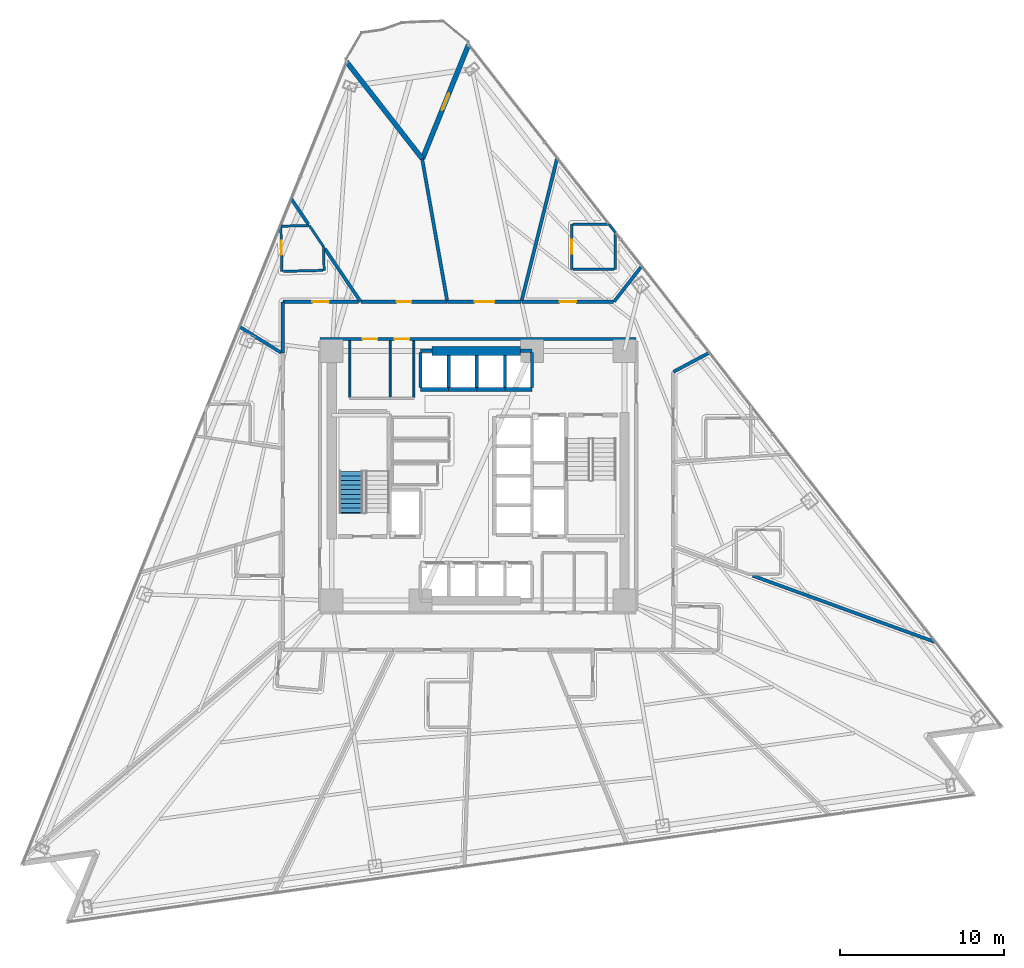
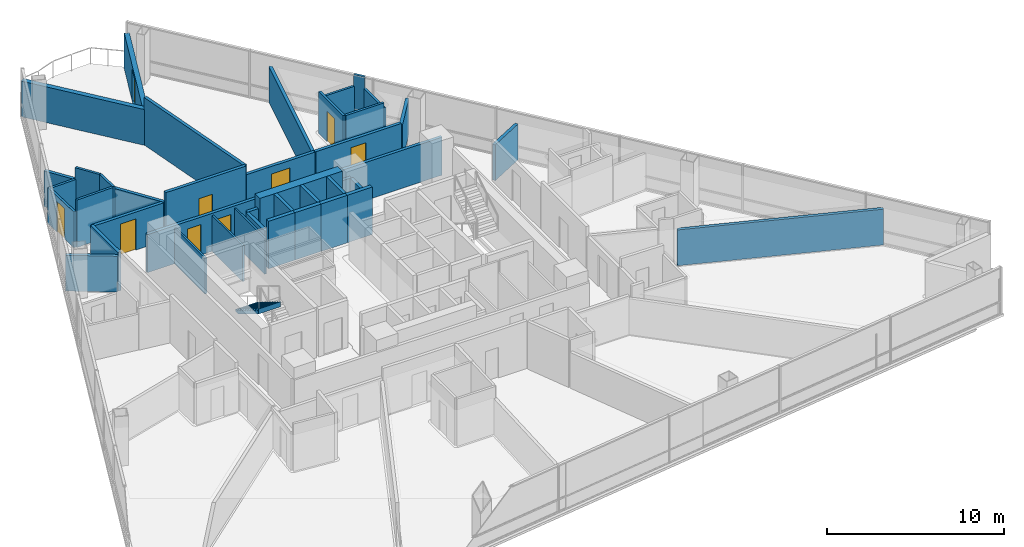
# One storey, part 10 of 16: 41 walls, 9 doors, 1 stair flight, 9 openings, 1 element without a shape of its own.
"""IFC4 building model written with IfcOpenShell, lengths in metres."""

import ifcopenshell
import ifcopenshell.guid

model = None  # the IFC model being written
_history = None  # IfcOwnerHistory: only IFC2X3 demands one
_inside = {}  # id of a spatial element -> (the spatial element, [elements in it])
_under = {}  # id of a project, library or spatial element -> (it, [spatial elements below it])
_declared = {}  # id of a project -> (the project, [libraries it declares])
_typed = {}  # id of a type object -> (the type object, [elements of that type])
_made_of = {}  # id of a material, layer set ... -> (it, [elements and type objects made of it])


def new_model(schema):
    """Start an empty IFC model of exactly this schema.

    Asked for "IFC4X3", IfcOpenShell would pick the latest addendum, in which some entities
    have other attributes; the version numbers below select the first issue.
    IFC2X3 requires an IfcOwnerHistory on every rooted entity: one is made here for all.
    """
    global model, _history
    if schema == "IFC4X3":
        model = ifcopenshell.file(schema_version=(4, 3, 0, 0))
    else:
        model = ifcopenshell.file(schema=schema)
    _inside.clear()
    _under.clear()
    _declared.clear()
    _typed.clear()
    _made_of.clear()
    _history = None
    if model.schema == "IFC2X3":
        org = make("IfcOrganization", Name="unknown")
        user = make(
            "IfcPersonAndOrganization",
            ThePerson=make("IfcPerson", FamilyName="unknown"),
            TheOrganization=org,
        )
        app = make(
            "IfcApplication",
            ApplicationDeveloper=org,
            Version="unknown",
            ApplicationFullName="unknown",
            ApplicationIdentifier="unknown",
        )
        _history = make(
            "IfcOwnerHistory",
            OwningUser=user,
            OwningApplication=app,
            ChangeAction="ADDED",
            CreationDate=0,
        )
    return model


def make(cls, **values):
    """One entity of the class cls with the attributes given. An attribute that is None is left unset."""
    return model.create_entity(
        cls, **{name: value for name, value in values.items() if value is not None}
    )


def rooted(cls, **values):
    """An entity with a GlobalId (a new one), such as an element, a storey or a relation."""
    return make(cls, GlobalId=ifcopenshell.guid.new(), OwnerHistory=_history, **values)


def si_unit(unit_type, name, prefix=None):
    """IfcSIUnit, for example si_unit("LENGTHUNIT", "METRE", prefix="MILLI")."""
    return make("IfcSIUnit", UnitType=unit_type, Prefix=prefix, Name=name)


def assignment(units):
    """IfcUnitAssignment: the units of a project."""
    return None if units is None else make("IfcUnitAssignment", Units=units)


def point(xyz):
    """IfcCartesianPoint."""
    return None if xyz is None else make("IfcCartesianPoint", Coordinates=xyz)


def direction(xyz):
    """IfcDirection."""
    return None if xyz is None else make("IfcDirection", DirectionRatios=xyz)


def frame(location, z_axis=None, x_axis=None):
    """IfcAxis2Placement3D, a coordinate frame: its origin and axes. An axis left out is left unset."""
    return make(
        "IfcAxis2Placement3D",
        Location=point(location),
        Axis=direction(z_axis),
        RefDirection=direction(x_axis),
    )


def frame_2d(location, x_axis=None):
    """IfcAxis2Placement2D, a coordinate frame in the plane: its origin and x axis."""
    return make(
        "IfcAxis2Placement2D", Location=point(location), RefDirection=direction(x_axis)
    )


def origin():
    """The frame at (0, 0, 0) with its axes left unset."""
    return frame((0.0, 0.0, 0.0))


def place(relative_to, where):
    """IfcLocalPlacement: puts the frame where relative to a parent placement (None: the world)."""
    return make(
        "IfcLocalPlacement", PlacementRelTo=relative_to, RelativePlacement=where
    )


def context(
    kind, dimensions, precision=None, world=None, true_north=None, identifier=None
):
    """IfcGeometricRepresentationContext, for example the 3D "Model" context."""
    return make(
        "IfcGeometricRepresentationContext",
        ContextIdentifier=identifier,
        ContextType=kind,
        CoordinateSpaceDimension=dimensions,
        Precision=precision,
        WorldCoordinateSystem=world,
        TrueNorth=true_north,
    )


def subcontext(parent, identifier, kind, view, scale=None):
    """IfcGeometricRepresentationSubContext, for example "Body" below "Model"."""
    return make(
        "IfcGeometricRepresentationSubContext",
        ContextIdentifier=identifier,
        ContextType=kind,
        ParentContext=parent,
        TargetScale=scale,
        TargetView=view,
    )


def project(units=None, contexts=None):
    """IfcProject with its units and contexts."""
    return rooted(
        "IfcProject",
        Name="project",
        RepresentationContexts=contexts,
        UnitsInContext=assignment(units),
    )


def spatial(cls, under=None, at=None, **own):
    """A site, building, storey or space (cls), placed at a placement, below another one or the project."""
    s = rooted(cls, ObjectPlacement=at, **own)
    if under is not None:
        _under.setdefault(under.id(), (under, []))[1].append(s)
    return s


def polyline(points):
    """IfcPolyline through the points."""
    return make("IfcPolyline", Points=[point(p) for p in points])


def profile(cls, at=None, kind="AREA", **sizes):
    """A parametric profile (cls). Its sizes go by their IFC names, for example OverallWidth=200.0."""
    return make(cls, ProfileType=kind, Position=at, **sizes)


def rectangle(**sizes):
    """IfcRectangleProfileDef."""
    return profile("IfcRectangleProfileDef", **sizes)


def outline(outer, holes=None, kind="AREA"):
    """IfcArbitraryClosedProfileDef: a profile drawn as a closed curve; with holes, ...WithVoids."""
    if holes is None:
        return make("IfcArbitraryClosedProfileDef", ProfileType=kind, OuterCurve=outer)
    return make(
        "IfcArbitraryProfileDefWithVoids",
        ProfileType=kind,
        OuterCurve=outer,
        InnerCurves=holes,
    )


def extrude(swept, where, along, depth):
    """IfcExtrudedAreaSolid: the profile swept, set in the frame where, extruded along a direction by depth."""
    return make(
        "IfcExtrudedAreaSolid",
        SweptArea=swept,
        Position=where,
        ExtrudedDirection=direction(along),
        Depth=depth,
    )


def shape(context_of_items, identifier, shape_type, items):
    """IfcShapeRepresentation: the items that make up one representation, for example the "Body"."""
    return make(
        "IfcShapeRepresentation",
        ContextOfItems=context_of_items,
        RepresentationIdentifier=identifier,
        RepresentationType=shape_type,
        Items=items,
    )


def material(Name=None, Category=None):
    """IfcMaterial."""
    return make("IfcMaterial", Name=Name, Category=Category)


def layer(
    of_material, thickness, ventilated=None, Name=None, Category=None, Priority=None
):
    """IfcMaterialLayer: one layer of a wall or slab, of a material (None: an air gap)."""
    return make(
        "IfcMaterialLayer",
        Material=of_material,
        LayerThickness=thickness,
        IsVentilated=ventilated,
        Name=Name,
        Category=Category,
        Priority=Priority,
    )


def layer_set(layers, Name=None):
    """IfcMaterialLayerSet."""
    return make("IfcMaterialLayerSet", MaterialLayers=layers, LayerSetName=Name)


def made_of(thing, what):
    """Note that an element or type object is made of a material, layer set ...; save() writes the relation."""
    if what is not None:
        _made_of.setdefault(what.id(), (what, []))[1].append(thing)
    return thing


def type_object(cls, material=None, **own):
    """A type object (cls), such as IfcWallType, which elements share."""
    return made_of(rooted(cls, **own), material)


def element(
    cls,
    number,
    at=None,
    inside=None,
    cuts=None,
    type_object=None,
    material=None,
    context=None,
    identifier="Body",
    shape_type=None,
    held_by="IfcProductDefinitionShape",
    body=None,
    shapes=None,
    **own,
):
    """One element of the class cls, such as IfcWall. Its Tag is "e" and its number.

    at: its placement. inside: the storey or other place that contains it. cuts: it is an
    opening in that element (IfcRelVoidsElement). A single representation is given by context,
    identifier, shape_type and body (its items); several are given by shapes. held_by: the class
    of the entity that holds the representations. save() writes the other relations.
    """
    e = rooted(cls, Tag="e%d" % number, ObjectPlacement=at, **own)
    if body is not None:
        shapes = [shape(context, identifier, shape_type, body)]
    if shapes is not None:
        e.Representation = make(held_by, Representations=shapes)
    if inside is not None:
        _inside.setdefault(inside.id(), (inside, []))[1].append(e)
    if cuts is not None:
        rooted(
            "IfcRelVoidsElement", RelatingBuildingElement=cuts, RelatedOpeningElement=e
        )
    if type_object is not None:
        _typed.setdefault(type_object.id(), (type_object, []))[1].append(e)
    return made_of(e, material)


def fill(opening, filler):
    """IfcRelFillsElement: the door or window that sits in an opening."""
    return rooted(
        "IfcRelFillsElement",
        RelatingOpeningElement=opening,
        RelatedBuildingElement=filler,
    )


def aggregate(whole, parts):
    """IfcRelAggregates: a whole, such as a stair, and the parts it consists of."""
    return rooted("IfcRelAggregates", RelatingObject=whole, RelatedObjects=parts)


def save(model, path):
    """Write the relations noted so far, then the file.

    IfcRelAggregates (storeys below a building ...), IfcRelContainedInSpatialStructure (elements
    in a storey), IfcRelDefinesByType, IfcRelAssociatesMaterial and IfcRelDeclares: one each for
    every whole, place, type object, material and project.
    """
    for whole, parts in _under.values():
        aggregate(whole, parts)
    for where, things in _inside.values():
        rooted(
            "IfcRelContainedInSpatialStructure",
            RelatedElements=things,
            RelatingStructure=where,
        )
    for kind, things in _typed.values():
        rooted("IfcRelDefinesByType", RelatedObjects=things, RelatingType=kind)
    for what, things in _made_of.values():
        rooted("IfcRelAssociatesMaterial", RelatedObjects=things, RelatingMaterial=what)
    for by, libraries in _declared.values():
        rooted("IfcRelDeclares", RelatingContext=by, RelatedDefinitions=libraries)
    model.write(path)


model = new_model("IFC4")

# Units and contexts
model_context = context("Model", 3, precision=1e-05, world=origin(), true_north=direction((0.0, 1.0)))
body_context = subcontext(model_context, "Body", "Model", "MODEL_VIEW")
ifc_project = project(units=[si_unit("LENGTHUNIT", "METRE"), si_unit("AREAUNIT", "SQUARE_METRE"), si_unit("VOLUMEUNIT", "CUBIC_METRE"), si_unit("PLANEANGLEUNIT", "RADIAN"), si_unit("MASSUNIT", "GRAM", prefix="KILO")], contexts=[model_context])

# Site, building, storey
site_placement = place(None, origin())
site = spatial("IfcSite", under=ifc_project, at=site_placement, CompositionType="ELEMENT")
building_placement = place(site_placement, origin())
building = spatial("IfcBuilding", under=site, at=building_placement, Name="Tharavind Bronze Gate", CompositionType="ELEMENT")
storey_placement = place(building_placement, frame((0.0, 0.0, 70.75)))
storey = spatial("IfcBuildingStorey", under=building, at=storey_placement, Name="L17", CompositionType="ELEMENT", Elevation=70.75)

# Wall, opening, door
ifc_material_1 = material(Name="Concrete C40/50", Category="concrete")
ifc_layer_1 = layer(ifc_material_1, 0.300048828125)
ifc_layer_set_1 = layer_set([ifc_layer_1], Name="Concrete C40/50")
wall_type_1 = type_object("IfcWallType", Name="EXTERIOR SPANDREL WALL 300", PredefinedType="STANDARD", material=ifc_layer_set_1)
wall_1_placement = place(storey_placement, frame((-0.57373046875, 26.226806640625, 0.0), z_axis=(0.0, 0.0, 1.0), x_axis=(-0.374609979755, -0.92718248639, 0.0)))
wall_1 = element("IfcWall", 1, at=wall_1_placement, inside=storey, type_object=wall_type_1, Name="L17 notch cheek wall 1A", PredefinedType="STANDARD", context=body_context, shape_type="SweptSolid", body=[
    extrude(rectangle(XDim=7.5, YDim=0.300048828125, at=frame_2d((3.75, 0.0))), origin(), (0.0, 0.0, 1.0), 2.469970703125),
])
opening_1_placement = place(wall_1_placement, frame((3.199951171875, 0.0, 0.0)))
opening_1 = element("IfcOpeningElement", 2, at=opening_1_placement, cuts=wall_1, Name="Opening ED04", PredefinedType="OPENING", context=body_context, shape_type="SweptSolid", body=[
    extrude(rectangle(XDim=1.10009765625, YDim=2.199951171875, at=frame_2d((0.550048828125, 1.10009765625))), frame((0.0, 0.15990234375, 0.0), z_axis=(0.0, -1.0, 0.0), x_axis=(1.0, 0.0, 0.0)), (0.0, 0.0, 1.0), 0.320048828125),
])
ifc_material_2 = material(Name="Bronze Aluminium & Toughened Glass", Category="aluminium")
door_type_1 = type_object("IfcDoorType", Name="TREE BALCONY ACCESS DOOR 1100X2200", OperationType="SINGLE_SWING_LEFT", PredefinedType="DOOR", material=ifc_material_2)
door_1_placement = place(opening_1_placement, frame((1.10009765625, 0.0, 0.0), z_axis=(0.0, 0.0, 1.0), x_axis=(-1.0, 0.0, 0.0)))
door_1 = element("IfcDoor", 3, at=door_1_placement, inside=storey, type_object=door_type_1, Name="L17 tree balcony access door", OperationType="SINGLE_SWING_LEFT", OverallHeight=2.199951171875, OverallWidth=1.10009765625, PredefinedType="DOOR", context=body_context, shape_type="SweptSolid", body=[
    extrude(rectangle(XDim=1.10009765625, YDim=2.199951171875, at=frame_2d((0.550048828125, 1.10009765625))), frame((0.0, 0.02490234375, 0.0), z_axis=(0.0, -1.0, 0.0), x_axis=(1.0, 0.0, 0.0)), (0.0, 0.0, 1.0), 0.050048828125),
])
fill(opening_1, door_1)

# Wall
wall_2_placement = place(storey_placement, frame((-3.38330078125, 19.27294921875, 0.0), z_axis=(0.0, 0.0, 1.0), x_axis=(-0.615654149001, 0.788016477504, 0.0)))
element("IfcWall", 4, at=wall_2_placement, inside=storey, type_object=wall_type_1, Name="L17 notch cheek wall 1B", PredefinedType="STANDARD", context=body_context, shape_type="SweptSolid", body=[
    extrude(rectangle(XDim=7.5, YDim=0.300048828125, at=frame_2d((3.75, 0.0))), origin(), (0.0, 0.0, 1.0), 2.469970703125),
])

# Wall, openings, doors
ifc_material_3 = material(Name="Aerated Concrete Block", Category="concrete")
ifc_layer_2 = layer(ifc_material_3, 0.199951171875)
ifc_layer_set_2 = layer_set([ifc_layer_2], Name="Aerated Concrete Block")
wall_type_2 = type_object("IfcWallType", Name="FIRE RATED PARTITION 200", PredefinedType="PARTITIONING", material=ifc_layer_set_2)
wall_3_placement = place(storey_placement, frame((9.6201171875, 8.320068359375, 0.0), z_axis=(0.0, 0.0, 1.0), x_axis=(-1.0, 0.0, 0.0)))
wall_3 = element("IfcWall", 5, at=wall_3_placement, inside=storey, type_object=wall_type_2, Name="L17 north core corridor wall", PredefinedType="PARTITIONING", context=body_context, shape_type="SweptSolid", body=[
    extrude(rectangle(XDim=19.240234375, YDim=0.199951171875, at=frame_2d((9.6201171875, 0.0))), origin(), (0.0, 0.0, 1.0), 2.6201171875),
])
opening_2_placement = place(wall_3_placement, frame((15.7451171875, 0.0, 0.0)))
opening_2 = element("IfcOpeningElement", 6, at=opening_2_placement, cuts=wall_3, Name="Opening ID07", PredefinedType="OPENING", context=body_context, shape_type="SweptSolid", body=[
    extrude(rectangle(XDim=0.89990234375, YDim=2.10009765625, at=frame_2d((0.449951171875, 1.050048828125))), frame((0.0, 0.11009765625, 0.0), z_axis=(0.0, -1.0, 0.0), x_axis=(1.0, 0.0, 0.0)), (0.0, 0.0, 1.0), 0.219951171875),
])
opening_3_placement = place(wall_3_placement, frame((13.794921875, 0.0, 0.0)))
opening_3 = element("IfcOpeningElement", 7, at=opening_3_placement, cuts=wall_3, Name="Opening ID07", PredefinedType="OPENING", context=body_context, shape_type="SweptSolid", body=[
    extrude(rectangle(XDim=0.89990234375, YDim=2.10009765625, at=frame_2d((0.449951171875, 1.050048828125))), frame((0.0, 0.11009765625, 0.0), z_axis=(0.0, -1.0, 0.0), x_axis=(1.0, 0.0, 0.0)), (0.0, 0.0, 1.0), 0.219951171875),
])
ifc_material_4 = material(Name="Galvanised Fire Steel", Category="steel")
door_type_2 = type_object("IfcDoorType", Name="PLANT AND RISER FIRE DOOR 900X2100", OperationType="SINGLE_SWING_LEFT", PredefinedType="DOOR", material=ifc_material_4)
door_2_placement = place(opening_2_placement, origin())
door_2 = element("IfcDoor", 8, at=door_2_placement, inside=storey, type_object=door_type_2, Name="L17 Electrical Metering Room fire door", OperationType="SINGLE_SWING_LEFT", OverallHeight=2.10009765625, OverallWidth=0.89990234375, PredefinedType="DOOR", context=body_context, shape_type="SweptSolid", body=[
    extrude(rectangle(XDim=0.89990234375, YDim=2.10009765625, at=frame_2d((0.449951171875, 1.050048828125))), frame((0.0, 0.02490234375, 0.0), z_axis=(0.0, -1.0, 0.0), x_axis=(1.0, 0.0, 0.0)), (0.0, 0.0, 1.0), 0.050048828125),
])
fill(opening_2, door_2)
door_3_placement = place(opening_3_placement, origin())
door_3 = element("IfcDoor", 9, at=door_3_placement, inside=storey, type_object=door_type_2, Name="L17 Linen Cupboard fire door", OperationType="SINGLE_SWING_LEFT", OverallHeight=2.10009765625, OverallWidth=0.89990234375, PredefinedType="DOOR", context=body_context, shape_type="SweptSolid", body=[
    extrude(rectangle(XDim=0.89990234375, YDim=2.10009765625, at=frame_2d((0.449951171875, 1.050048828125))), frame((0.0, 0.02490234375, 0.0), z_axis=(0.0, -1.0, 0.0), x_axis=(1.0, 0.0, 0.0)), (0.0, 0.0, 1.0), 0.050048828125),
])
fill(opening_3, door_3)

# Walls
wall_4_placement = place(storey_placement, frame((11.893310546875, 6.32373046875, 0.0), z_axis=(0.0, 0.0, 1.0), x_axis=(0.882926972808, 0.469510341407, 0.0)))
element("IfcWall", 10, at=wall_4_placement, inside=storey, type_object=wall_type_2, Name="L17 Royal Hotel Suite partition", PredefinedType="PARTITIONING", context=body_context, shape_type="SweptSolid", body=[
    extrude(rectangle(XDim=2.446044921875, YDim=0.199951171875, at=frame_2d((1.22314453125, 0.0))), origin(), (0.0, 0.0, 1.0), 2.469970703125),
])
wall_5_placement = place(storey_placement, frame((9.946533203125, 12.73095703125, 0.0), z_axis=(0.0, 0.0, 1.0), x_axis=(-0.615680653303, -0.787995769753, 0.0)))
element("IfcWall", 11, at=wall_5_placement, inside=storey, type_object=wall_type_2, Name="L17 Hotel Deluxe Room partition", PredefinedType="PARTITIONING", context=body_context, shape_type="SweptSolid", body=[
    extrude(rectangle(XDim=2.717529296875, YDim=0.199951171875, at=frame_2d((1.35888671875, 0.0))), origin(), (0.0, 0.0, 1.0), 2.469970703125),
])

# Wall, opening, door
wall_6_placement = place(storey_placement, frame((8.25390625, 10.580078125, 0.0), z_axis=(0.0, 0.0, 1.0), x_axis=(-1.0, 0.0, 0.0)))
wall_6 = element("IfcWall", 12, at=wall_6_placement, inside=storey, type_object=wall_type_2, Name="L17 Hotel Deluxe Room partition", PredefinedType="PARTITIONING", context=body_context, shape_type="SweptSolid", body=[
    extrude(rectangle(XDim=5.583984375, YDim=0.199951171875, at=frame_2d((2.7919921875, 0.0))), origin(), (0.0, 0.0, 1.0), 2.669921875),
])
opening_4_placement = place(wall_6_placement, frame((2.2919921875, 0.0, 0.0)))
opening_4 = element("IfcOpeningElement", 13, at=opening_4_placement, cuts=wall_6, Name="Opening ID03", PredefinedType="OPENING", context=body_context, shape_type="SweptSolid", body=[
    extrude(rectangle(XDim=1.0, YDim=2.14990234375, at=frame_2d((0.5, 1.074951171875))), frame((0.0, 0.11009765625, 0.0), z_axis=(0.0, -1.0, 0.0), x_axis=(1.0, 0.0, 0.0)), (0.0, 0.0, 1.0), 0.219951171875),
])
ifc_material_5 = material(Name="Solid Timber Veneer", Category="wood")
door_type_3 = type_object("IfcDoorType", Name="HOTEL SUITE ENTRANCE DOOR 1000X2150", OperationType="SINGLE_SWING_LEFT", PredefinedType="DOOR", material=ifc_material_5)
door_4_placement = place(opening_4_placement, origin())
door_4 = element("IfcDoor", 14, at=door_4_placement, inside=storey, type_object=door_type_3, Name="L17 Hotel Deluxe Room door", OperationType="SINGLE_SWING_LEFT", OverallHeight=2.14990234375, OverallWidth=1.0, PredefinedType="DOOR", context=body_context, shape_type="SweptSolid", body=[
    extrude(rectangle(XDim=1.0, YDim=2.14990234375, at=frame_2d((0.5, 1.074951171875))), frame((0.0, 0.02490234375, 0.0), z_axis=(0.0, -1.0, 0.0), x_axis=(1.0, 0.0, 0.0)), (0.0, 0.0, 1.0), 0.050048828125),
])
fill(opening_4, door_4)

# Wall
wall_7_placement = place(storey_placement, frame((2.6455078125, 10.611083984375, 0.0), z_axis=(0.0, 0.0, 1.0), x_axis=(0.241940721885, 0.970291032162, 0.0)))
element("IfcWall", 15, at=wall_7_placement, inside=storey, type_object=wall_type_2, Name="L17 Hotel Deluxe Room partition", PredefinedType="PARTITIONING", context=body_context, shape_type="SweptSolid", body=[
    extrude(rectangle(XDim=8.98095703125, YDim=0.199951171875, at=frame_2d((4.490478515625, 0.0))), origin(), (0.0, 0.0, 1.0), 2.469970703125),
])

# Wall, opening, door
wall_8_placement = place(storey_placement, frame((2.618408203125, 10.580078125, 0.0), z_axis=(0.0, 0.0, 1.0), x_axis=(-1.0, 0.0, 0.0)))
wall_8 = element("IfcWall", 16, at=wall_8_placement, inside=storey, type_object=wall_type_2, Name="L17 Hotel Guest Lounge partition", PredefinedType="PARTITIONING", context=body_context, shape_type="SweptSolid", body=[
    extrude(rectangle(XDim=4.462890625, YDim=0.199951171875, at=frame_2d((2.2314453125, 0.0))), origin(), (0.0, 0.0, 1.0), 2.669921875),
])
opening_5_placement = place(wall_8_placement, frame((1.631103515625, 0.0, 0.0)))
opening_5 = element("IfcOpeningElement", 17, at=opening_5_placement, cuts=wall_8, Name="Opening ID05", PredefinedType="OPENING", context=body_context, shape_type="SweptSolid", body=[
    extrude(rectangle(XDim=1.199951171875, YDim=2.14990234375, at=frame_2d((0.60009765625, 1.074951171875))), frame((0.0, 0.11009765625, 0.0), z_axis=(0.0, -1.0, 0.0), x_axis=(1.0, 0.0, 0.0)), (0.0, 0.0, 1.0), 0.219951171875),
])
ifc_material_6 = material(Name="Acoustic Laminated Glass", Category="glass")
door_type_4 = type_object("IfcDoorType", Name="MEETING ROOM GLAZED DOOR 1200X2150", OperationType="SINGLE_SWING_LEFT", PredefinedType="DOOR", material=ifc_material_6)
door_5_placement = place(opening_5_placement, origin())
door_5 = element("IfcDoor", 18, at=door_5_placement, inside=storey, type_object=door_type_4, Name="L17 Hotel Guest Lounge door", OperationType="SINGLE_SWING_LEFT", OverallHeight=2.14990234375, OverallWidth=1.199951171875, PredefinedType="DOOR", context=body_context, shape_type="SweptSolid", body=[
    extrude(rectangle(XDim=1.199951171875, YDim=2.14990234375, at=frame_2d((0.60009765625, 1.074951171875))), frame((0.0, 0.02490234375, 0.0), z_axis=(0.0, -1.0, 0.0), x_axis=(1.0, 0.0, 0.0)), (0.0, 0.0, 1.0), 0.050048828125),
])
fill(opening_5, door_5)

# Wall
wall_9_placement = place(storey_placement, frame((-1.869140625, 10.6005859375, 0.0), z_axis=(0.0, 0.0, 1.0), x_axis=(-0.173639404774, 0.98480929987, 0.0)))
element("IfcWall", 19, at=wall_9_placement, inside=storey, type_object=wall_type_2, Name="L17 Hotel Guest Lounge partition", PredefinedType="PARTITIONING", context=body_context, shape_type="SweptSolid", body=[
    extrude(rectangle(XDim=8.780517578125, YDim=0.199951171875, at=frame_2d((4.39013671875, 0.0))), origin(), (0.0, 0.0, 1.0), 3.27490234375),
])

# Wall, opening, door
wall_10_placement = place(storey_placement, frame((-1.895263671875, 10.580078125, 0.0), z_axis=(0.0, 0.0, 1.0), x_axis=(-1.0, 0.0, 0.0)))
wall_10 = element("IfcWall", 20, at=wall_10_placement, inside=storey, type_object=wall_type_2, Name="L17 Housekeeping & Linen Room partition", PredefinedType="PARTITIONING", context=body_context, shape_type="SweptSolid", body=[
    extrude(rectangle(XDim=5.227783203125, YDim=0.199951171875, at=frame_2d((2.61376953125, 0.0))), origin(), (0.0, 0.0, 1.0), 3.27490234375),
])
opening_6_placement = place(wall_10_placement, frame((2.1640625, 0.0, 0.0)))
opening_6 = element("IfcOpeningElement", 21, at=opening_6_placement, cuts=wall_10, Name="Opening ID07", PredefinedType="OPENING", context=body_context, shape_type="SweptSolid", body=[
    extrude(rectangle(XDim=0.89990234375, YDim=2.10009765625, at=frame_2d((0.449951171875, 1.050048828125))), frame((0.0, 0.11009765625, 0.0), z_axis=(0.0, -1.0, 0.0), x_axis=(1.0, 0.0, 0.0)), (0.0, 0.0, 1.0), 0.219951171875),
])
door_6_placement = place(opening_6_placement, origin())
door_6 = element("IfcDoor", 22, at=door_6_placement, inside=storey, type_object=door_type_2, Name="L17 Housekeeping & Linen Room door", OperationType="SINGLE_SWING_LEFT", OverallHeight=2.10009765625, OverallWidth=0.89990234375, PredefinedType="DOOR", context=body_context, shape_type="SweptSolid", body=[
    extrude(rectangle(XDim=0.89990234375, YDim=2.10009765625, at=frame_2d((0.449951171875, 1.050048828125))), frame((0.0, 0.02490234375, 0.0), z_axis=(0.0, -1.0, 0.0), x_axis=(1.0, 0.0, 0.0)), (0.0, 0.0, 1.0), 0.050048828125),
])
fill(opening_6, door_6)

# Walls
wall_11_placement = place(storey_placement, frame((-7.143798828125, 10.591064453125, 0.0), z_axis=(0.0, 0.0, 1.0), x_axis=(-0.559171794076, 0.829051810631, 0.0)))
element("IfcWall", 23, at=wall_11_placement, inside=storey, type_object=wall_type_2, Name="L17 Housekeeping & Linen Room partition", PredefinedType="PARTITIONING", context=body_context, shape_type="SweptSolid", body=[
    extrude(rectangle(XDim=3.88623046875, YDim=0.199951171875, at=frame_2d((1.943115234375, 0.0))), origin(), (0.0, 0.0, 1.0), 2.6201171875),
])
wall_12_placement = place(storey_placement, frame((-10.321044921875, 15.3017578125, 0.0), z_axis=(0.0, 0.0, 1.0), x_axis=(-0.559274091042, 0.828982805062, 0.0)))
element("IfcWall", 24, at=wall_12_placement, inside=storey, type_object=wall_type_2, Name="L17 Housekeeping & Linen Room partition", PredefinedType="PARTITIONING", context=body_context, shape_type="SweptSolid", body=[
    extrude(rectangle(XDim=1.856689453125, YDim=0.199951171875, at=frame_2d((0.92822265625, 0.0))), origin(), (0.0, 0.0, 1.0), 2.469970703125),
])
wall_13_placement = place(storey_placement, frame((-11.8798828125, 10.579345703125, 0.0), z_axis=(0.0, 0.0, 1.0), x_axis=(0.0, -1.0, 0.0)))
element("IfcWall", 25, at=wall_13_placement, inside=storey, type_object=wall_type_2, Name="L17 Hotel Guest Room partition", PredefinedType="PARTITIONING", context=body_context, shape_type="SweptSolid", body=[
    extrude(rectangle(XDim=3.11083984375, YDim=0.199951171875, at=frame_2d((1.555419921875, 0.0))), origin(), (0.0, 0.0, 1.0), 2.669921875),
])
wall_14_placement = place(storey_placement, frame((-11.985107421875, 7.489013671875, 0.0), z_axis=(0.0, 0.0, 1.0), x_axis=(-0.84801684821, 0.52996926812, 0.0)))
element("IfcWall", 26, at=wall_14_placement, inside=storey, type_object=wall_type_2, Name="L17 Hotel Guest Room partition", PredefinedType="PARTITIONING", context=body_context, shape_type="SweptSolid", body=[
    extrude(rectangle(XDim=2.95849609375, YDim=0.199951171875, at=frame_2d((1.479248046875, 0.0))), origin(), (0.0, 0.0, 1.0), 2.469970703125),
])

# Wall, opening, door
wall_15_placement = place(storey_placement, frame((-7.262939453125, 10.580078125, 0.0), z_axis=(0.0, 0.0, 1.0), x_axis=(-1.0, 0.0, 0.0)))
wall_15 = element("IfcWall", 27, at=wall_15_placement, inside=storey, type_object=wall_type_2, Name="L17 Hotel Guest Room partition", PredefinedType="PARTITIONING", context=body_context, shape_type="SweptSolid", body=[
    extrude(rectangle(XDim=4.616455078125, YDim=0.199951171875, at=frame_2d((2.30810546875, 0.0))), origin(), (0.0, 0.0, 1.0), 2.6201171875),
])
opening_7_placement = place(wall_15_placement, frame((1.80810546875, 0.0, 0.0)))
opening_7 = element("IfcOpeningElement", 28, at=opening_7_placement, cuts=wall_15, Name="Opening ID03", PredefinedType="OPENING", context=body_context, shape_type="SweptSolid", body=[
    extrude(rectangle(XDim=1.0, YDim=2.14990234375, at=frame_2d((0.5, 1.074951171875))), frame((0.0, 0.11009765625, 0.0), z_axis=(0.0, -1.0, 0.0), x_axis=(1.0, 0.0, 0.0)), (0.0, 0.0, 1.0), 0.219951171875),
])
door_7_placement = place(opening_7_placement, origin())
door_7 = element("IfcDoor", 29, at=door_7_placement, inside=storey, type_object=door_type_3, Name="L17 Hotel Guest Room door", OperationType="SINGLE_SWING_LEFT", OverallHeight=2.14990234375, OverallWidth=1.0, PredefinedType="DOOR", context=body_context, shape_type="SweptSolid", body=[
    extrude(rectangle(XDim=1.0, YDim=2.14990234375, at=frame_2d((0.5, 1.074951171875))), frame((0.0, 0.02490234375, 0.0), z_axis=(0.0, -1.0, 0.0), x_axis=(1.0, 0.0, 0.0)), (0.0, 0.0, 1.0), 0.050048828125),
])
fill(opening_7, door_7)

# Walls
wall_16_placement = place(storey_placement, frame((16.710205078125, -6.08203125, 0.0), z_axis=(0.0, 0.0, 1.0), x_axis=(0.939695147998, -0.342013199789, 0.0)))
element("IfcWall", 30, at=wall_16_placement, inside=storey, type_object=wall_type_2, Name="L17 Deluxe Hotel Suite partition", PredefinedType="PARTITIONING", context=body_context, shape_type="SweptSolid", body=[
    extrude(rectangle(XDim=11.827392578125, YDim=0.199951171875, at=frame_2d((5.91357421875, 0.0))), origin(), (0.0, 0.0, 1.0), 2.469970703125),
])
ifc_material_7 = material(Name="Metal Stud Gypsum Partition", Category="gypsum")
ifc_layer_3 = layer(ifc_material_7, 0.1201171875)
ifc_layer_set_3 = layer_set([ifc_layer_3], Name="Metal Stud Gypsum Partition")
wall_type_3 = type_object("IfcWallType", Name="INTERIOR PARTITION WALL 120", PredefinedType="PARTITIONING", material=ifc_layer_set_3)
for number, where, z_axis, x_axis, name in (
    (31, (-5.35009765625, 4.764892578125, 0.0), (0.0, 0.0, 1.0), (0.0, 1.0, 0.0), "L17 Electrical Metering Room partition 2"),
    (32, (-7.800048828125, 8.215087890625, 0.0), (0.0, 0.0, 1.0), (0.0, -1.0, 0.0), "L17 Electrical Metering Room partition 4"),
    (33, (-3.89990234375, 4.764892578125, 0.0), (0.0, 0.0, 1.0), (0.0, 1.0, 0.0), "L17 Linen Cupboard partition 2"),
):
    element("IfcWall", number, at=place(storey_placement, frame(where, z_axis=z_axis, x_axis=x_axis)), inside=storey, type_object=wall_type_3, Name=name, PredefinedType="PARTITIONING", context=body_context, shape_type="SweptSolid", body=[
        extrude(rectangle(XDim=3.4501953125, YDim=0.1201171875, at=frame_2d((1.72509765625, 0.0))), origin(), (0.0, 0.0, 1.0), 2.469970703125),
    ])

# Wall, opening, door
ifc_material_8 = material(Name="Twin Stud Acoustic Gypsum", Category="gypsum")
ifc_layer_4 = layer(ifc_material_8, 0.14990234375)
ifc_layer_set_4 = layer_set([ifc_layer_4], Name="Twin Stud Acoustic Gypsum")
wall_type_4 = type_object("IfcWallType", Name="INTERIOR PARTITION WALL 150", PredefinedType="PARTITIONING", material=ifc_layer_set_4)
wall_17_placement = place(storey_placement, frame((5.709716796875, 12.550048828125, 0.0), z_axis=(0.0, 0.0, 1.0), x_axis=(0.0, 1.0, 0.0)))
wall_17 = element("IfcWall", 34, at=wall_17_placement, inside=storey, type_object=wall_type_4, Name="L17 En-Suite Bathroom partition", PredefinedType="PARTITIONING", context=body_context, shape_type="SweptSolid", body=[
    extrude(rectangle(XDim=2.75, YDim=0.14990234375, at=frame_2d((1.375, 0.0))), origin(), (0.0, 0.0, 1.0), 2.8701171875),
])
opening_8_placement = place(wall_17_placement, frame((0.949951171875, 0.0, 0.0)))
opening_8 = element("IfcOpeningElement", 35, at=opening_8_placement, cuts=wall_17, Name="Opening ID06", PredefinedType="OPENING", context=body_context, shape_type="SweptSolid", body=[
    extrude(rectangle(XDim=0.85009765625, YDim=2.10009765625, at=frame_2d((0.425048828125, 1.050048828125))), frame((0.0, 0.084951171875, 0.0), z_axis=(0.0, -1.0, 0.0), x_axis=(1.0, 0.0, 0.0)), (0.0, 0.0, 1.0), 0.16990234375),
])
ifc_material_9 = material(Name="Moisture-Resistant Timber", Category="wood")
door_type_5 = type_object("IfcDoorType", Name="BATHROOM PRIVACY DOOR 850X2100", OperationType="SINGLE_SWING_RIGHT", PredefinedType="DOOR", material=ifc_material_9)
door_8_placement = place(opening_8_placement, origin())
door_8 = element("IfcDoor", 36, at=door_8_placement, inside=storey, type_object=door_type_5, Name="L17 En-Suite Bathroom door", OperationType="SINGLE_SWING_RIGHT", OverallHeight=2.10009765625, OverallWidth=0.85009765625, PredefinedType="DOOR", context=body_context, shape_type="SweptSolid", body=[
    extrude(rectangle(XDim=0.85009765625, YDim=2.10009765625, at=frame_2d((0.425048828125, 1.050048828125))), frame((0.0, 0.02490234375, 0.0), z_axis=(0.0, -1.0, 0.0), x_axis=(1.0, 0.0, 0.0)), (0.0, 0.0, 1.0), 0.050048828125),
])
fill(opening_8, door_8)

# Walls
wall_18_placement = place(storey_placement, frame((5.789794921875, 15.300048828125, 0.0), z_axis=(0.0, 0.0, 1.0), x_axis=(1.0, 0.0, 0.0)))
element("IfcWall", 37, at=wall_18_placement, inside=storey, type_object=wall_type_4, Name="L17 En-Suite Bathroom partition", PredefinedType="PARTITIONING", context=body_context, shape_type="SweptSolid", body=[
    extrude(rectangle(XDim=2.173583984375, YDim=0.14990234375, at=frame_2d((1.0869140625, 0.0))), origin(), (0.0, 0.0, 1.0), 2.469970703125),
])
wall_19_placement = place(storey_placement, frame((7.96337890625, 15.300048828125, 0.0), z_axis=(0.0, 0.0, 1.0), x_axis=(0.615592549259, -0.788064599698, 0.0)))
element("IfcWall", 38, at=wall_19_placement, inside=storey, type_object=wall_type_4, Name="L17 En-Suite Bathroom partition", PredefinedType="PARTITIONING", context=body_context, shape_type="SweptSolid", body=[
    extrude(rectangle(XDim=0.64404296875, YDim=0.14990234375, at=frame_2d((0.322021484375, 0.0))), origin(), (0.0, 0.0, 1.0), 3.27490234375),
])
wall_20_placement = place(storey_placement, frame((8.35986328125, 14.79248046875, 0.0), z_axis=(0.0, 0.0, 1.0), x_axis=(0.0, -1.0, 0.0)))
element("IfcWall", 39, at=wall_20_placement, inside=storey, type_object=wall_type_4, Name="L17 En-Suite Bathroom partition", PredefinedType="PARTITIONING", context=body_context, shape_type="SweptSolid", body=[
    extrude(rectangle(XDim=2.242431640625, YDim=0.14990234375, at=frame_2d((1.12109375, 0.0))), origin(), (0.0, 0.0, 1.0), 2.469970703125),
])
wall_21_placement = place(storey_placement, frame((8.27978515625, 12.550048828125, 0.0), z_axis=(0.0, 0.0, 1.0), x_axis=(-1.0, 0.0, 0.0)))
element("IfcWall", 40, at=wall_21_placement, inside=storey, type_object=wall_type_4, Name="L17 En-Suite Bathroom partition", PredefinedType="PARTITIONING", context=body_context, shape_type="SweptSolid", body=[
    extrude(rectangle(XDim=2.489990234375, YDim=0.14990234375, at=frame_2d((1.2451171875, 0.0))), origin(), (0.0, 0.0, 1.0), 2.8701171875),
])

# Wall, opening, door
wall_22_placement = place(storey_placement, frame((-11.927490234375, 12.429443359375, 0.0), z_axis=(0.0, 0.0, 1.0), x_axis=(-0.025753181092, 0.99966833183, 0.0)))
wall_22 = element("IfcWall", 41, at=wall_22_placement, inside=storey, type_object=wall_type_4, Name="L17 En-Suite Bathroom partition", PredefinedType="PARTITIONING", context=body_context, shape_type="SweptSolid", body=[
    extrude(rectangle(XDim=2.853515625, YDim=0.14990234375, at=frame_2d((1.4267578125, 0.0))), origin(), (0.0, 0.0, 1.0), 2.469970703125),
])
opening_9_placement = place(wall_22_placement, frame((1.001953125, 0.0, 0.0)))
opening_9 = element("IfcOpeningElement", 42, at=opening_9_placement, cuts=wall_22, Name="Opening ID06", PredefinedType="OPENING", context=body_context, shape_type="SweptSolid", body=[
    extrude(rectangle(XDim=0.85009765625, YDim=2.10009765625, at=frame_2d((0.425048828125, 1.050048828125))), frame((0.0, 0.084951171875, 0.0), z_axis=(0.0, -1.0, 0.0), x_axis=(1.0, 0.0, 0.0)), (0.0, 0.0, 1.0), 0.16990234375),
])
door_9_placement = place(opening_9_placement, origin())
door_9 = element("IfcDoor", 43, at=door_9_placement, inside=storey, type_object=door_type_5, Name="L17 En-Suite Bathroom door", OperationType="SINGLE_SWING_RIGHT", OverallHeight=2.10009765625, OverallWidth=0.85009765625, PredefinedType="DOOR", context=body_context, shape_type="SweptSolid", body=[
    extrude(rectangle(XDim=0.85009765625, YDim=2.10009765625, at=frame_2d((0.425048828125, 1.050048828125))), frame((0.0, 0.02490234375, 0.0), z_axis=(0.0, -1.0, 0.0), x_axis=(1.0, 0.0, 0.0)), (0.0, 0.0, 1.0), 0.050048828125),
])
fill(opening_9, door_9)

# Walls
wall_23_placement = place(storey_placement, frame((-11.91845703125, 15.180419921875, 0.0), z_axis=(0.0, 0.0, 1.0), x_axis=(0.999668899852, 0.02573112257, 0.0)))
element("IfcWall", 44, at=wall_23_placement, inside=storey, type_object=wall_type_4, Name="L17 En-Suite Bathroom partition", PredefinedType="PARTITIONING", context=body_context, shape_type="SweptSolid", body=[
    extrude(rectangle(XDim=1.65087890625, YDim=0.14990234375, at=frame_2d((0.825439453125, 0.0))), origin(), (0.0, 0.0, 1.0), 2.469970703125),
])
wall_24_placement = place(storey_placement, frame((-10.26806640625, 15.222900390625, 0.0), z_axis=(0.0, 0.0, 1.0), x_axis=(0.559229675695, -0.82901276819, 0.0)))
element("IfcWall", 45, at=wall_24_placement, inside=storey, type_object=wall_type_4, Name="L17 En-Suite Bathroom partition", PredefinedType="PARTITIONING", context=body_context, shape_type="SweptSolid", body=[
    extrude(rectangle(XDim=1.552001953125, YDim=0.14990234375, at=frame_2d((0.77587890625, 0.0))), origin(), (0.0, 0.0, 1.0), 3.27490234375),
])
wall_25_placement = place(storey_placement, frame((-9.400146484375, 13.936279296875, 0.0), z_axis=(0.0, 0.0, 1.0), x_axis=(0.025745445057, -0.999668531094, 0.0)))
element("IfcWall", 46, at=wall_25_placement, inside=storey, type_object=wall_type_4, Name="L17 En-Suite Bathroom partition", PredefinedType="PARTITIONING", context=body_context, shape_type="SweptSolid", body=[
    extrude(rectangle(XDim=1.44140625, YDim=0.14990234375, at=frame_2d((0.720703125, 0.0))), origin(), (0.0, 0.0, 1.0), 3.27490234375),
])
wall_26_placement = place(storey_placement, frame((-9.443115234375, 12.493408203125, 0.0), z_axis=(0.0, 0.0, 1.0), x_axis=(-0.999667618691, -0.025780848324, 0.0)))
element("IfcWall", 47, at=wall_26_placement, inside=storey, type_object=wall_type_4, Name="L17 En-Suite Bathroom partition", PredefinedType="PARTITIONING", context=body_context, shape_type="SweptSolid", body=[
    extrude(rectangle(XDim=2.4052734375, YDim=0.14990234375, at=frame_2d((1.20263671875, 0.0))), origin(), (0.0, 0.0, 1.0), 3.27490234375),
])
ifc_material_10 = material(Name="Concrete C50/60", Category="concrete")
ifc_layer_5 = layer(ifc_material_10, 0.25)
ifc_layer_set_5 = layer_set([ifc_layer_5], Name="Concrete C50/60")
wall_type_5 = type_object("IfcWallType", Name="RC CORE SHEAR WALL 250", PredefinedType="SHEAR", material=ifc_layer_set_5)
wall_27_placement = place(storey_placement, frame((-3.5, 5.25, 0.0), z_axis=(0.0, 0.0, 1.0), x_axis=(1.0, 0.0, 0.0)))
element("IfcWall", 48, at=wall_27_placement, inside=storey, type_object=wall_type_5, Name="L17 lift PL5 shaft front wall", PredefinedType="SHEAR", context=body_context, shape_type="SweptSolid", body=[
    extrude(rectangle(XDim=1.71240234375, YDim=0.25, at=frame_2d((0.856201171875, 0.0))), origin(), (0.0, 0.0, 1.0), 3.27490234375),
])
wall_28_placement = place(storey_placement, frame((-1.78759765625, 5.25, 0.0), z_axis=(0.0, 0.0, 1.0), x_axis=(1.0, 0.0, 0.0)))
element("IfcWall", 49, at=wall_28_placement, inside=storey, type_object=wall_type_5, Name="L17 lift PL6 shaft front wall", PredefinedType="SHEAR", context=body_context, shape_type="SweptSolid", body=[
    extrude(rectangle(XDim=1.712646484375, YDim=0.25, at=frame_2d((0.8564453125, 0.0))), origin(), (0.0, 0.0, 1.0), 3.27490234375),
])
wall_29_placement = place(storey_placement, frame((-0.074951171875, 5.25, 0.0), z_axis=(0.0, 0.0, 1.0), x_axis=(1.0, 0.0, 0.0)))
element("IfcWall", 50, at=wall_29_placement, inside=storey, type_object=wall_type_5, Name="L17 lift PL7 shaft front wall", PredefinedType="SHEAR", context=body_context, shape_type="SweptSolid", body=[
    extrude(rectangle(XDim=1.71240234375, YDim=0.25, at=frame_2d((0.856201171875, 0.0))), origin(), (0.0, 0.0, 1.0), 3.27490234375),
])
wall_30_placement = place(storey_placement, frame((1.637451171875, 5.25, 0.0), z_axis=(0.0, 0.0, 1.0), x_axis=(1.0, 0.0, 0.0)))
element("IfcWall", 51, at=wall_30_placement, inside=storey, type_object=wall_type_5, Name="L17 lift PL8 shaft front wall", PredefinedType="SHEAR", context=body_context, shape_type="SweptSolid", body=[
    extrude(rectangle(XDim=1.642578125, YDim=0.25, at=frame_2d((0.8212890625, 0.0))), origin(), (0.0, 0.0, 1.0), 3.27490234375),
])
ifc_material_11 = material(Name="Concrete C60/75", Category="concrete")
ifc_layer_6 = layer(ifc_material_11, 0.550048828125)
ifc_layer_set_6 = layer_set([ifc_layer_6], Name="Concrete C60/75")
wall_type_6 = type_object("IfcWallType", Name="RC CORE SHEAR WALL 550", PredefinedType="SHEAR", material=ifc_layer_set_6)
wall_31_placement = place(storey_placement, frame((-2.800048828125, 7.60009765625, 0.0), z_axis=(0.0, 0.0, 1.0), x_axis=(1.0, 0.0, 0.0)))
element("IfcWall", 52, at=wall_31_placement, inside=storey, type_object=wall_type_6, Name="L17 north core shear wall", PredefinedType="SHEAR", context=body_context, shape_type="SweptSolid", body=[
    extrude(rectangle(XDim=5.380126953125, YDim=0.550048828125, at=frame_2d((2.68994140625, 0.0))), origin(), (0.0, 0.0, 1.0), 3.27490234375),
])
ifc_layer_7 = layer(ifc_material_1, 0.199951171875)
ifc_layer_set_7 = layer_set([ifc_layer_7], Name="Concrete C40/50")
wall_type_7 = type_object("IfcWallType", Name="SHAFT ENCLOSURE WALL 200", PredefinedType="PARTITIONING", material=ifc_layer_set_7)
wall_32_placement = place(storey_placement, frame((-3.5, 7.60009765625, 0.0), z_axis=(0.0, 0.0, 1.0), x_axis=(1.0, 0.0, 0.0)))
element("IfcWall", 53, at=wall_32_placement, inside=storey, type_object=wall_type_7, Name="L17 lift PL5 shaft N enclosure wall", PredefinedType="PARTITIONING", context=body_context, shape_type="SweptSolid", body=[
    extrude(rectangle(XDim=0.699951171875, YDim=0.199951171875, at=frame_2d((0.35009765625, 0.0))), origin(), (0.0, 0.0, 1.0), 2.469970703125),
])
wall_33_placement = place(storey_placement, frame((-3.5, 5.3798828125, 0.0), z_axis=(0.0, 0.0, 1.0), x_axis=(0.0, 1.0, 0.0)))
element("IfcWall", 54, at=wall_33_placement, inside=storey, type_object=wall_type_7, Name="L17 lift PL5 shaft W enclosure wall", PredefinedType="PARTITIONING", context=body_context, shape_type="SweptSolid", body=[
    extrude(rectangle(XDim=2.115234375, YDim=0.199951171875, at=frame_2d((1.0576171875, 0.0))), origin(), (0.0, 0.0, 1.0), 2.469970703125),
])
for number, where, z_axis, x_axis, name in (
    (55, (-1.78759765625, 5.3798828125, 0.0), (0.0, 0.0, 1.0), (0.0, 1.0, 0.0), "L17 lift PL5 shaft E enclosure wall"),
    (56, (-0.074951171875, 5.3798828125, 0.0), (0.0, 0.0, 1.0), (0.0, 1.0, 0.0), "L17 lift PL6 shaft E enclosure wall"),
    (57, (1.637451171875, 5.3798828125, 0.0), (0.0, 0.0, 1.0), (0.0, 1.0, 0.0), "L17 lift PL7 shaft E enclosure wall"),
):
    element("IfcWall", number, at=place(storey_placement, frame(where, z_axis=z_axis, x_axis=x_axis)), inside=storey, type_object=wall_type_7, Name=name, PredefinedType="PARTITIONING", context=body_context, shape_type="SweptSolid", body=[
        extrude(rectangle(XDim=1.940185546875, YDim=0.199951171875, at=frame_2d((0.97021484375, 0.0))), origin(), (0.0, 0.0, 1.0), 3.27490234375),
    ])
wall_34_placement = place(storey_placement, frame((2.580078125, 7.60009765625, 0.0), z_axis=(0.0, 0.0, 1.0), x_axis=(1.0, 0.0, 0.0)))
element("IfcWall", 58, at=wall_34_placement, inside=storey, type_object=wall_type_7, Name="L17 lift PL8 shaft N enclosure wall", PredefinedType="PARTITIONING", context=body_context, shape_type="SweptSolid", body=[
    extrude(rectangle(XDim=0.699951171875, YDim=0.199951171875, at=frame_2d((0.35009765625, 0.0))), origin(), (0.0, 0.0, 1.0), 2.469970703125),
])
wall_35_placement = place(storey_placement, frame((3.280029296875, 5.3798828125, 0.0), z_axis=(0.0, 0.0, 1.0), x_axis=(0.0, 1.0, 0.0)))
element("IfcWall", 59, at=wall_35_placement, inside=storey, type_object=wall_type_7, Name="L17 lift PL8 shaft E enclosure wall", PredefinedType="PARTITIONING", context=body_context, shape_type="SweptSolid", body=[
    extrude(rectangle(XDim=2.115234375, YDim=0.199951171875, at=frame_2d((1.0576171875, 0.0))), origin(), (0.0, 0.0, 1.0), 2.469970703125),
])

# Stair, stair flight
stair_type = type_object("IfcStairType", Name="CORE HALF TURN STAIR 1450", PredefinedType="HALF_TURN_STAIR", material=ifc_material_1)
stair_placement = place(storey_placement, origin())
stair = element("IfcStair", 60, at=stair_placement, inside=storey, type_object=stair_type, Name="L17 Protected Exit Stair ST1", PredefinedType="HALF_TURN_STAIR")
stair_flight_type = type_object("IfcStairFlightType", Name="CORE STAIR FLIGHT 1450", PredefinedType="STRAIGHT", material=ifc_material_1)
stair_flight_placement = place(storey_placement, frame((-7.72509765625, 0.27001953125, 1.72509765625), z_axis=(0.0, 0.0, 1.0), x_axis=(0.0, -1.0, 0.0)))
stair_flight = element("IfcStairFlight", 61, at=stair_flight_placement, type_object=stair_flight_type, Name="ST1 flight 2", NumberOfRisers=10, NumberOfTreads=9, PredefinedType="STRAIGHT", RiserHeight=0.1725, TreadLength=0.28, context=body_context, shape_type="SweptSolid", body=[
    extrude(outline(polyline([(0.0, 0.0), (0.0, 0.172607421875), (0.280029296875, 0.172607421875), (0.280029296875, 0.344970703125), (0.56005859375, 0.344970703125), (0.56005859375, 0.517578125), (0.840087890625, 0.517578125), (0.840087890625, 0.68994140625), (1.1201171875, 0.68994140625), (1.1201171875, 0.862548828125), (1.39990234375, 0.862548828125), (1.39990234375, 1.034912109375), (1.679931640625, 1.034912109375), (1.679931640625, 1.20751953125), (1.9599609375, 1.20751953125), (1.9599609375, 1.3798828125), (2.239990234375, 1.3798828125), (2.239990234375, 1.552490234375), (2.52001953125, 1.552490234375), (2.52001953125, 1.72509765625), (2.555908203125, 1.72509765625), (2.555908203125, 1.37646484375), (0.285888671875, 0.0), (0.0, 0.0)])), frame((0.0, 0.72509765625, 0.0), z_axis=(0.0, -1.0, 0.0), x_axis=(1.0, 0.0, 0.0)), (0.0, 0.0, 1.0), 1.449951171875),
])
aggregate(stair, [stair_flight])

save(model, "model.ifc")
